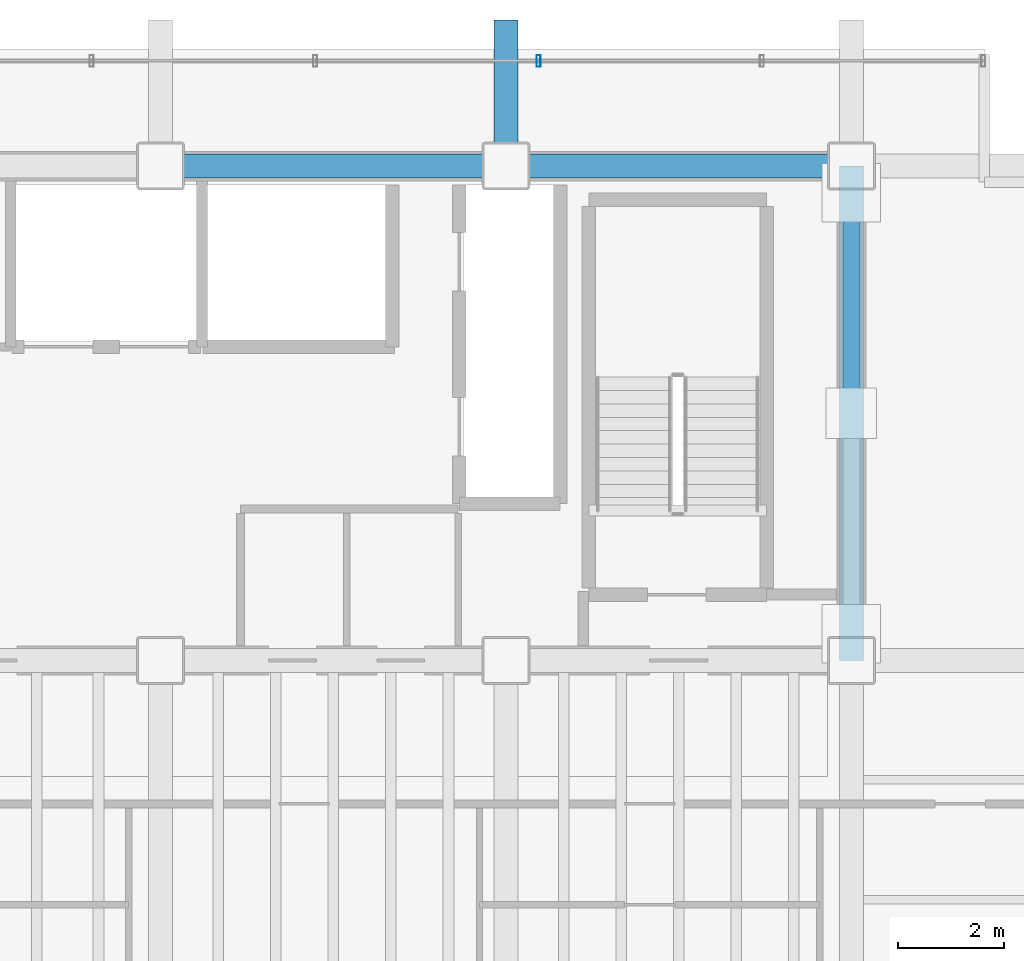
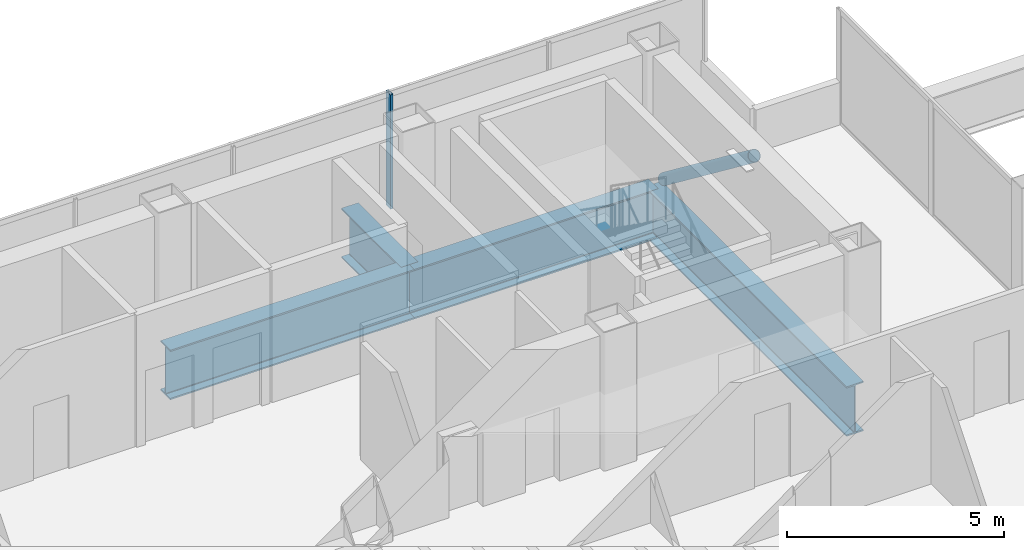
# One storey, part 19 of 24: 4 beams, 2 members, 1 element without a shape of its own.
"""IFC4 building model written with IfcOpenShell, lengths in metres."""

import ifcopenshell
import ifcopenshell.guid

model = None  # the IFC model being written
_history = None  # IfcOwnerHistory: only IFC2X3 demands one
_inside = {}  # id of a spatial element -> (the spatial element, [elements in it])
_under = {}  # id of a project, library or spatial element -> (it, [spatial elements below it])
_declared = {}  # id of a project -> (the project, [libraries it declares])
_typed = {}  # id of a type object -> (the type object, [elements of that type])
_made_of = {}  # id of a material, layer set ... -> (it, [elements and type objects made of it])


def new_model(schema):
    """Start an empty IFC model of exactly this schema.

    Asked for "IFC4X3", IfcOpenShell would pick the latest addendum, in which some entities
    have other attributes; the version numbers below select the first issue.
    IFC2X3 requires an IfcOwnerHistory on every rooted entity: one is made here for all.
    """
    global model, _history
    if schema == "IFC4X3":
        model = ifcopenshell.file(schema_version=(4, 3, 0, 0))
    else:
        model = ifcopenshell.file(schema=schema)
    _inside.clear()
    _under.clear()
    _declared.clear()
    _typed.clear()
    _made_of.clear()
    _history = None
    if model.schema == "IFC2X3":
        org = make("IfcOrganization", Name="unknown")
        user = make(
            "IfcPersonAndOrganization",
            ThePerson=make("IfcPerson", FamilyName="unknown"),
            TheOrganization=org,
        )
        app = make(
            "IfcApplication",
            ApplicationDeveloper=org,
            Version="unknown",
            ApplicationFullName="unknown",
            ApplicationIdentifier="unknown",
        )
        _history = make(
            "IfcOwnerHistory",
            OwningUser=user,
            OwningApplication=app,
            ChangeAction="ADDED",
            CreationDate=0,
        )
    return model


def make(cls, **values):
    """One entity of the class cls with the attributes given. An attribute that is None is left unset."""
    return model.create_entity(
        cls, **{name: value for name, value in values.items() if value is not None}
    )


def rooted(cls, **values):
    """An entity with a GlobalId (a new one), such as an element, a storey or a relation."""
    return make(cls, GlobalId=ifcopenshell.guid.new(), OwnerHistory=_history, **values)


def si_unit(unit_type, name, prefix=None):
    """IfcSIUnit, for example si_unit("LENGTHUNIT", "METRE", prefix="MILLI")."""
    return make("IfcSIUnit", UnitType=unit_type, Prefix=prefix, Name=name)


def assignment(units):
    """IfcUnitAssignment: the units of a project."""
    return None if units is None else make("IfcUnitAssignment", Units=units)


def point(xyz):
    """IfcCartesianPoint."""
    return None if xyz is None else make("IfcCartesianPoint", Coordinates=xyz)


def direction(xyz):
    """IfcDirection."""
    return None if xyz is None else make("IfcDirection", DirectionRatios=xyz)


def frame(location, z_axis=None, x_axis=None):
    """IfcAxis2Placement3D, a coordinate frame: its origin and axes. An axis left out is left unset."""
    return make(
        "IfcAxis2Placement3D",
        Location=point(location),
        Axis=direction(z_axis),
        RefDirection=direction(x_axis),
    )


def frame_2d(location, x_axis=None):
    """IfcAxis2Placement2D, a coordinate frame in the plane: its origin and x axis."""
    return make(
        "IfcAxis2Placement2D", Location=point(location), RefDirection=direction(x_axis)
    )


def origin():
    """The frame at (0, 0, 0) with its axes left unset."""
    return frame((0.0, 0.0, 0.0))


def origin_2d():
    """The frame at (0, 0) in the plane with its x axis left unset."""
    return frame_2d((0.0, 0.0))


def place(relative_to, where):
    """IfcLocalPlacement: puts the frame where relative to a parent placement (None: the world)."""
    return make(
        "IfcLocalPlacement", PlacementRelTo=relative_to, RelativePlacement=where
    )


def context(
    kind, dimensions, precision=None, world=None, true_north=None, identifier=None
):
    """IfcGeometricRepresentationContext, for example the 3D "Model" context."""
    return make(
        "IfcGeometricRepresentationContext",
        ContextIdentifier=identifier,
        ContextType=kind,
        CoordinateSpaceDimension=dimensions,
        Precision=precision,
        WorldCoordinateSystem=world,
        TrueNorth=true_north,
    )


def subcontext(parent, identifier, kind, view, scale=None):
    """IfcGeometricRepresentationSubContext, for example "Body" below "Model"."""
    return make(
        "IfcGeometricRepresentationSubContext",
        ContextIdentifier=identifier,
        ContextType=kind,
        ParentContext=parent,
        TargetScale=scale,
        TargetView=view,
    )


def project(units=None, contexts=None):
    """IfcProject with its units and contexts."""
    return rooted(
        "IfcProject",
        Name="project",
        RepresentationContexts=contexts,
        UnitsInContext=assignment(units),
    )


def spatial(cls, under=None, at=None, **own):
    """A site, building, storey or space (cls), placed at a placement, below another one or the project."""
    s = rooted(cls, ObjectPlacement=at, **own)
    if under is not None:
        _under.setdefault(under.id(), (under, []))[1].append(s)
    return s


def profile(cls, at=None, kind="AREA", **sizes):
    """A parametric profile (cls). Its sizes go by their IFC names, for example OverallWidth=200.0."""
    return make(cls, ProfileType=kind, Position=at, **sizes)


def hollow_rectangle(**sizes):
    """IfcRectangleHollowProfileDef."""
    return profile("IfcRectangleHollowProfileDef", **sizes)


def hollow_circle(**sizes):
    """IfcCircleHollowProfileDef."""
    return profile("IfcCircleHollowProfileDef", **sizes)


def i_section(**sizes):
    """IfcIShapeProfileDef."""
    return profile("IfcIShapeProfileDef", **sizes)


def extrude(swept, where, along, depth):
    """IfcExtrudedAreaSolid: the profile swept, set in the frame where, extruded along a direction by depth."""
    return make(
        "IfcExtrudedAreaSolid",
        SweptArea=swept,
        Position=where,
        ExtrudedDirection=direction(along),
        Depth=depth,
    )


def shape(context_of_items, identifier, shape_type, items):
    """IfcShapeRepresentation: the items that make up one representation, for example the "Body"."""
    return make(
        "IfcShapeRepresentation",
        ContextOfItems=context_of_items,
        RepresentationIdentifier=identifier,
        RepresentationType=shape_type,
        Items=items,
    )


def material(Name=None, Category=None):
    """IfcMaterial."""
    return make("IfcMaterial", Name=Name, Category=Category)


def material_profile(
    of_material, cross_section, Name=None, Category=None, Priority=None
):
    """IfcMaterialProfile: a cross section and its material."""
    return make(
        "IfcMaterialProfile",
        Name=Name,
        Material=of_material,
        Profile=cross_section,
        Priority=Priority,
        Category=Category,
    )


def profile_set(profiles, Name=None, composite=None):
    """IfcMaterialProfileSet."""
    return make(
        "IfcMaterialProfileSet",
        Name=Name,
        MaterialProfiles=profiles,
        CompositeProfile=composite,
    )


def made_of(thing, what):
    """Note that an element or type object is made of a material, layer set ...; save() writes the relation."""
    if what is not None:
        _made_of.setdefault(what.id(), (what, []))[1].append(thing)
    return thing


def type_object(cls, material=None, **own):
    """A type object (cls), such as IfcWallType, which elements share."""
    return made_of(rooted(cls, **own), material)


def element(
    cls,
    number,
    at=None,
    inside=None,
    cuts=None,
    type_object=None,
    material=None,
    context=None,
    identifier="Body",
    shape_type=None,
    held_by="IfcProductDefinitionShape",
    body=None,
    shapes=None,
    **own,
):
    """One element of the class cls, such as IfcWall. Its Tag is "e" and its number.

    at: its placement. inside: the storey or other place that contains it. cuts: it is an
    opening in that element (IfcRelVoidsElement). A single representation is given by context,
    identifier, shape_type and body (its items); several are given by shapes. held_by: the class
    of the entity that holds the representations. save() writes the other relations.
    """
    e = rooted(cls, Tag="e%d" % number, ObjectPlacement=at, **own)
    if body is not None:
        shapes = [shape(context, identifier, shape_type, body)]
    if shapes is not None:
        e.Representation = make(held_by, Representations=shapes)
    if inside is not None:
        _inside.setdefault(inside.id(), (inside, []))[1].append(e)
    if cuts is not None:
        rooted(
            "IfcRelVoidsElement", RelatingBuildingElement=cuts, RelatedOpeningElement=e
        )
    if type_object is not None:
        _typed.setdefault(type_object.id(), (type_object, []))[1].append(e)
    return made_of(e, material)


def aggregate(whole, parts):
    """IfcRelAggregates: a whole, such as a stair, and the parts it consists of."""
    return rooted("IfcRelAggregates", RelatingObject=whole, RelatedObjects=parts)


def save(model, path):
    """Write the relations noted so far, then the file.

    IfcRelAggregates (storeys below a building ...), IfcRelContainedInSpatialStructure (elements
    in a storey), IfcRelDefinesByType, IfcRelAssociatesMaterial and IfcRelDeclares: one each for
    every whole, place, type object, material and project.
    """
    for whole, parts in _under.values():
        aggregate(whole, parts)
    for where, things in _inside.values():
        rooted(
            "IfcRelContainedInSpatialStructure",
            RelatedElements=things,
            RelatingStructure=where,
        )
    for kind, things in _typed.values():
        rooted("IfcRelDefinesByType", RelatedObjects=things, RelatingType=kind)
    for what, things in _made_of.values():
        rooted("IfcRelAssociatesMaterial", RelatedObjects=things, RelatingMaterial=what)
    for by, libraries in _declared.values():
        rooted("IfcRelDeclares", RelatingContext=by, RelatedDefinitions=libraries)
    model.write(path)


model = new_model("IFC4")

# Units and contexts
model_context = context("Model", 3, precision=1e-05, world=origin(), true_north=direction((0.0, 1.0)))
body_context = subcontext(model_context, "Body", "Model", "MODEL_VIEW")
ifc_project = project(units=[si_unit("LENGTHUNIT", "METRE"), si_unit("AREAUNIT", "SQUARE_METRE"), si_unit("VOLUMEUNIT", "CUBIC_METRE"), si_unit("PLANEANGLEUNIT", "RADIAN"), si_unit("MASSUNIT", "GRAM", prefix="KILO")], contexts=[model_context])

# Site, building, storey
site_placement = place(None, origin())
site = spatial("IfcSite", under=ifc_project, at=site_placement, CompositionType="ELEMENT")
building_placement = place(site_placement, origin())
building = spatial("IfcBuilding", under=site, at=building_placement, Name="Noeulbin Bourse Tower", CompositionType="ELEMENT")
storey_placement = place(building_placement, frame((0.0, 0.0, 114.89990234375)))
storey = spatial("IfcBuildingStorey", under=building, at=storey_placement, Name="L28", CompositionType="ELEMENT", Elevation=114.89990234375)

# Beams
ifc_material_1 = material(Name="Steel S460", Category="steel")
ifc_material_profile_1 = material_profile(ifc_material_1, i_section(OverallWidth=0.449951171875, OverallDepth=1.39990234375, WebThickness=0.02392578125, FlangeThickness=0.0400390625, FilletRadius=0.02392578125, at=origin_2d()), Name="PG-1400x450x24x40", Category="LoadBearing")
ifc_profile_set_1 = profile_set([ifc_material_profile_1], Name="Steel S460")
beam_type = type_object("IfcBeamType", Name="BM-TRF-1400", PredefinedType="USERDEFINED", material=ifc_profile_set_1)
for number, where, z_axis, x_axis, name in (
    (1, (31.0, 38.300048828125, -0.93994140625), (1.0, 0.0, 0.0), (0.0, 1.0, 0.0), "Tower Primary Girder EW L28-3.3"),
    (2, (37.5, 38.300048828125, -0.93994140625), (1.0, 0.0, 0.0), (0.0, 1.0, 0.0), "Tower Primary Girder EW L28-3.4"),
):
    element("IfcBeam", number, at=place(storey_placement, frame(where, z_axis=z_axis, x_axis=x_axis)), inside=storey, type_object=beam_type, Name=name, ObjectType="GIRDER", PredefinedType="USERDEFINED", context=body_context, shape_type="SweptSolid", body=[
        extrude(i_section(OverallWidth=0.449951171875, OverallDepth=1.39990234375, WebThickness=0.02392578125, FlangeThickness=0.0400390625, FilletRadius=0.02392578125, at=origin_2d()), origin(), (0.0, 0.0, 1.0), 6.5),
    ])
beam_1_placement = place(storey_placement, frame((37.5, 38.300048828125, -0.93994140625), z_axis=(0.0, 1.0, 0.0), x_axis=(-1.0, 0.0, 0.0)))
element("IfcBeam", 3, at=beam_1_placement, inside=storey, type_object=beam_type, Name="Tower Primary Girder NS L28-4.4", ObjectType="GIRDER", PredefinedType="USERDEFINED", context=body_context, shape_type="SweptSolid", body=[
    extrude(i_section(OverallWidth=0.449951171875, OverallDepth=1.39990234375, WebThickness=0.02392578125, FlangeThickness=0.0400390625, FilletRadius=0.02392578125, at=origin_2d()), origin(), (0.0, 0.0, 1.0), 2.75),
])
beam_2_placement = place(storey_placement, frame((44.0, 29.0, -0.93994140625), z_axis=(0.0, 1.0, 0.0), x_axis=(-1.0, 0.0, 0.0)))
element("IfcBeam", 4, at=beam_2_placement, inside=storey, type_object=beam_type, Name="Tower Primary Girder NS L28-5.3", ObjectType="GIRDER", PredefinedType="USERDEFINED", context=body_context, shape_type="SweptSolid", body=[
    extrude(i_section(OverallWidth=0.449951171875, OverallDepth=1.39990234375, WebThickness=0.02392578125, FlangeThickness=0.0400390625, FilletRadius=0.02392578125, at=origin_2d()), origin(), (0.0, 0.0, 1.0), 9.300048828125),
])

# Curtain wall, member
ifc_material_2 = material(Name="Dark Tinted Triple Glazing", Category="glass")
curtain_wall_type = type_object("IfcCurtainWallType", Name="CW-SYS-3", PredefinedType="NOTDEFINED", material=ifc_material_2)
curtain_wall_placement = place(storey_placement, origin())
curtain_wall = element("IfcCurtainWall", 5, at=curtain_wall_placement, inside=storey, type_object=curtain_wall_type, Name="Unitised Curtain Wall CW-L28-N", PredefinedType="NOTDEFINED")
ifc_material_3 = material(Name="Anodised Aluminium 6063-T6", Category="aluminium")
ifc_material_profile_2 = material_profile(ifc_material_3, hollow_rectangle(XDim=0.074951171875, YDim=0.219970703125, WallThickness=0.0048828125, InnerFilletRadius=0.00244140625, OuterFilletRadius=0.0048828125, at=origin_2d()), Name="ALU-MULL-75x220x5", Category="LoadBearing")
ifc_profile_set_2 = profile_set([ifc_material_profile_2], Name="Anodised Aluminium 6063-T6")
member_type_1 = type_object("IfcMemberType", Name="CW-SYS-3-MUL", PredefinedType="MULLION", material=ifc_profile_set_2)
member_1_placement = place(storey_placement, frame((38.112060546875, 40.280029296875, -0.02001953125), z_axis=(0.0, 0.0, 1.0), x_axis=(1.0, 0.0, 0.0)))
member_1 = element("IfcMember", 6, at=member_1_placement, type_object=member_type_1, Name="Curtain Wall Mullion CW-L28-N-M08", PredefinedType="MULLION", context=body_context, shape_type="SweptSolid", body=[
    extrude(hollow_rectangle(XDim=0.074951171875, YDim=0.219970703125, WallThickness=0.0048828125, InnerFilletRadius=0.00244140625, OuterFilletRadius=0.0048828125, at=origin_2d()), origin(), (0.0, 0.0, 1.0), 3.22021484375),
])
aggregate(curtain_wall, [member_1])

# Member
ifc_material_4 = material(Name="Steel S355", Category="steel")
ifc_material_profile_3 = material_profile(ifc_material_4, hollow_circle(Radius=0.1591796875, WallThickness=0.01025390625, at=origin_2d()), Name="CHS-318.5x10.3", Category="LoadBearing")
ifc_profile_set_3 = profile_set([ifc_material_profile_3], Name="Steel S355")
member_type_2 = type_object("IfcMemberType", Name="MEM-EXO-318", PredefinedType="BRACE", material=ifc_profile_set_3)
member_2_placement = place(storey_placement, frame((44.0, 33.64990234375, 3.3701171875), z_axis=(0.0, 0.794701388985, -0.607000578538), x_axis=(-1.0, 0.0, 0.0)))
element("IfcMember", 7, at=member_2_placement, inside=storey, type_object=member_type_2, Name="Core Flank Chevron Brace XT-L28-E2", PredefinedType="BRACE", context=body_context, shape_type="SweptSolid", body=[
    extrude(hollow_circle(Radius=0.1591796875, WallThickness=0.01025390625, at=origin_2d()), origin(), (0.0, 0.0, 1.0), 5.22216796875),
])

save(model, "model.ifc")
